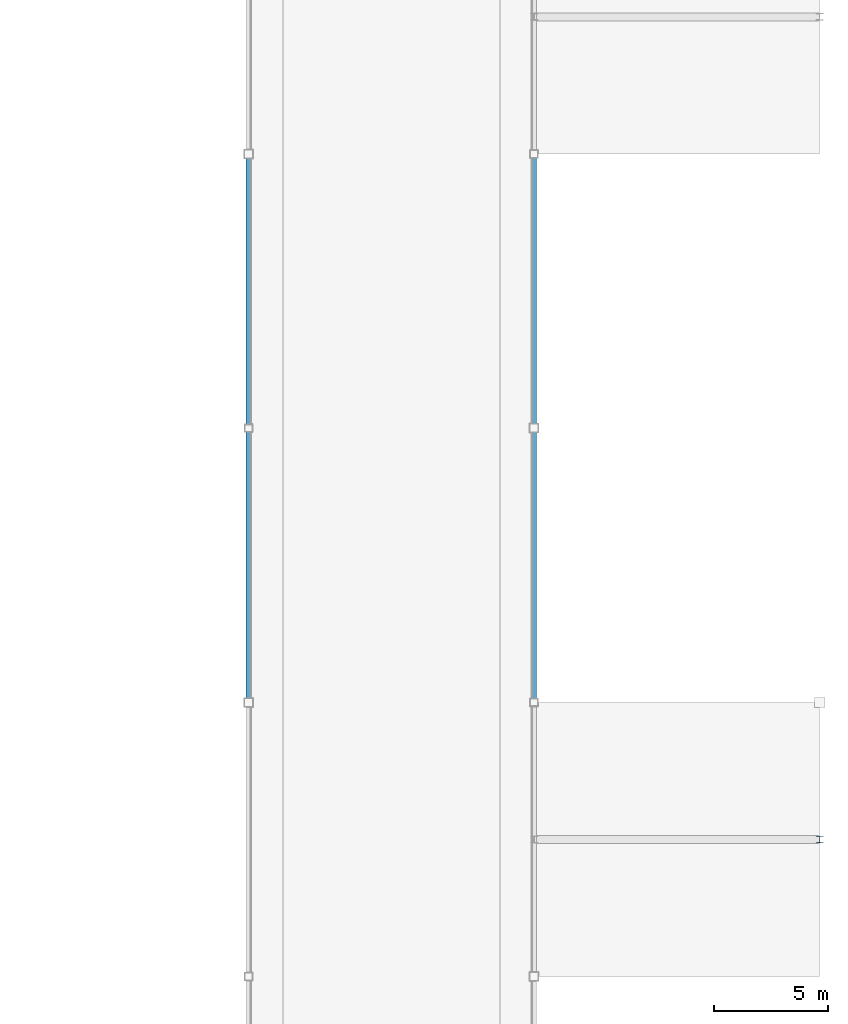
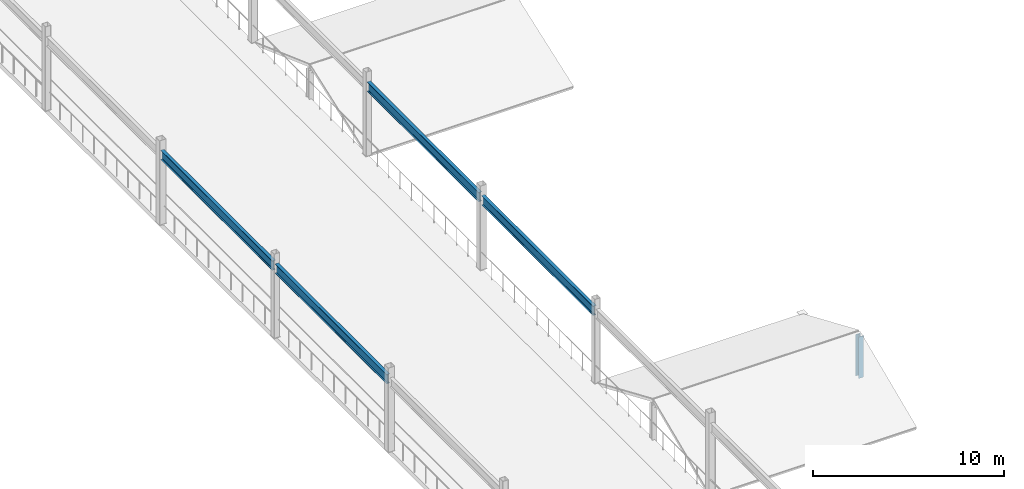
# One storey, part 46 of 105: 4 beams, 1 member.
"""IFC4 building model written with IfcOpenShell, lengths in metres."""

from ifc_helpers import new_model, si_unit, direction, frame, origin, origin_2d, place, context, subcontext, project, spatial, i_section, extrude, material, material_profile, profile_set, type_object, element, save


model = new_model("IFC4")

# Units and contexts
model_context = context("Model", 3, precision=1e-05, world=origin(), true_north=direction((0.0, 1.0)))
body_context = subcontext(model_context, "Body", "Model", "MODEL_VIEW")
ifc_project = project(units=[si_unit("LENGTHUNIT", "METRE"), si_unit("AREAUNIT", "SQUARE_METRE"), si_unit("VOLUMEUNIT", "CUBIC_METRE"), si_unit("PLANEANGLEUNIT", "RADIAN"), si_unit("MASSUNIT", "GRAM", prefix="KILO")], contexts=[model_context])

# Site, building, storey
site_placement = place(None, origin())
site = spatial("IfcSite", under=ifc_project, at=site_placement, CompositionType="ELEMENT")
building_placement = place(site_placement, origin())
building = spatial("IfcBuilding", under=site, at=building_placement, Name="Kazenohara Klinker Stadium", CompositionType="ELEMENT")
storey_placement = place(building_placement, frame((0.0, 0.0, 20.39990234375)))
storey = spatial("IfcBuildingStorey", under=building, at=storey_placement, Name="L04", CompositionType="ELEMENT", Elevation=20.39990234375)

# Beams
ifc_material = material(Name="Steel S355", Category="steel")
ifc_material_profile_1 = material_profile(ifc_material, i_section(OverallWidth=0.199951171875, OverallDepth=0.60009765625, WebThickness=0.010986328125, FlangeThickness=0.01708984375, FilletRadius=0.012939453125, at=origin_2d()), Name="H-600x200x11x17")
ifc_profile_set_1 = profile_set([ifc_material_profile_1], Name="Steel S355")
beam_type = type_object("IfcBeamType", Name="BM-ST04", PredefinedType="BEAM", material=ifc_profile_set_1)
for number, where, z_axis, x_axis, name in (
    (1, (175.0, 72.139892578125, 4.4501953125), (0.0, 1.0, 0.0), (-1.0, 0.0, 0.0), "Canopy tie girder SB04 L04 15/G"),
    (2, (187.5, 72.139892578125, 4.4501953125), (0.0, 1.0, 0.0), (-1.0, 0.0, 0.0), "Canopy tie girder SB04 L04 16/G"),
    (3, (175.0, 84.139892578125, 4.4501953125), (0.0, 1.0, 0.0), (-1.0, 0.0, 0.0), "Canopy tie girder SB04 L04 15/H"),
    (4, (187.5, 84.139892578125, 4.4501953125), (0.0, 1.0, 0.0), (-1.0, 0.0, 0.0), "Canopy tie girder SB04 L04 16/H"),
):
    element("IfcBeam", number, at=place(storey_placement, frame(where, z_axis=z_axis, x_axis=x_axis)), inside=storey, type_object=beam_type, Name=name, PredefinedType="BEAM", context=body_context, shape_type="SweptSolid", body=[
        extrude(i_section(OverallWidth=0.199951171875, OverallDepth=0.60009765625, WebThickness=0.010986328125, FlangeThickness=0.01708984375, FilletRadius=0.012939453125, at=origin_2d()), origin(), (0.0, 0.0, 1.0), 11.72021484375),
    ])

# Member
ifc_material_profile_2 = material_profile(ifc_material, i_section(OverallWidth=0.300048828125, OverallDepth=0.300048828125, WebThickness=0.010009765625, FlangeThickness=0.014892578125, FilletRadius=0.012939453125, at=origin_2d()), Name="H-300x300x10x15")
ifc_profile_set_2 = profile_set([ifc_material_profile_2], Name="Steel S355")
member_type = type_object("IfcMemberType", Name="MEM-STR01", PredefinedType="STRUT", material=ifc_profile_set_2)
member_placement = place(storey_placement, frame((200.0, 66.0, -0.429931640625), z_axis=(0.0, 0.0, 1.0), x_axis=(1.0, 0.0, 0.0)))
element("IfcMember", 5, at=member_placement, inside=storey, type_object=member_type, Name="Stepped pavilion gable king-post L04 16/F E", PredefinedType="STRUT", context=body_context, shape_type="SweptSolid", body=[
    extrude(i_section(OverallWidth=0.300048828125, OverallDepth=0.300048828125, WebThickness=0.010009765625, FlangeThickness=0.014892578125, FilletRadius=0.012939453125, at=origin_2d()), origin(), (0.0, 0.0, 1.0), 2.659912109375),
])

save(model, "model.ifc")
